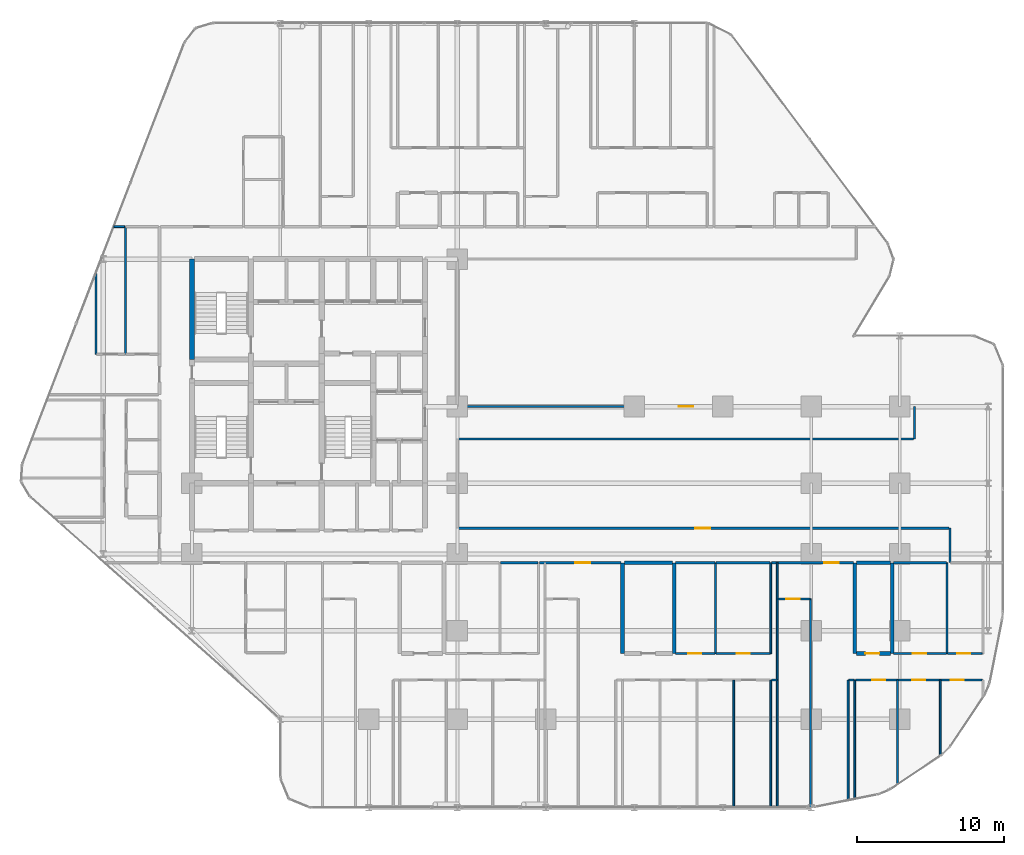
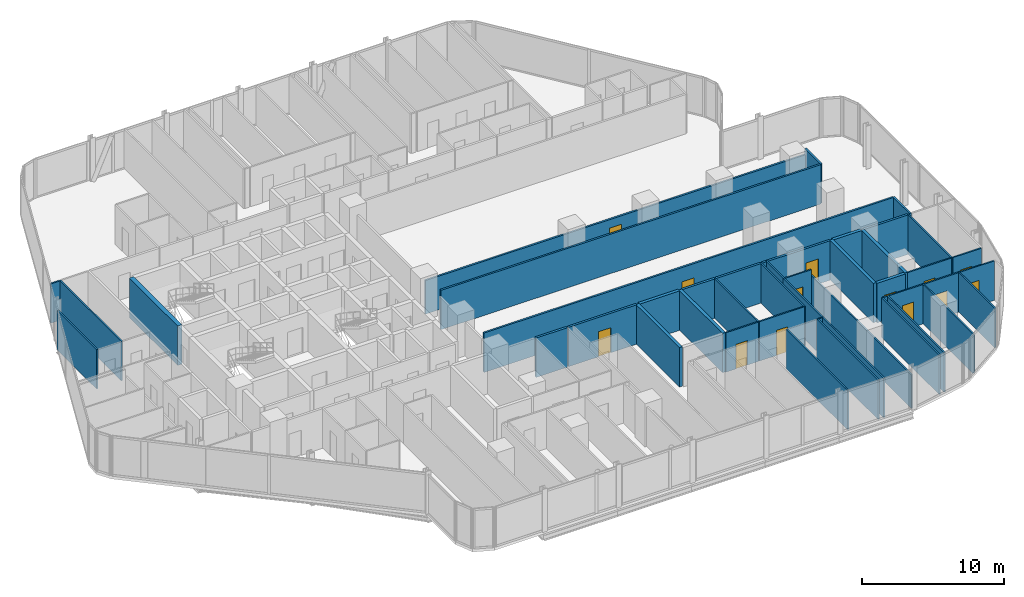
# One storey, part 29 of 33: 43 walls, 13 doors, 13 openings.
"""IFC4 building model written with IfcOpenShell, lengths in metres."""

from ifc_helpers import new_model, si_unit, direction, frame, frame_2d, origin, place, context, subcontext, project, spatial, rectangle, extrude, material, layer, layer_set, type_object, element, fill, save


model = new_model("IFC4")

# Units and contexts
model_context = context("Model", 3, precision=1e-05, world=origin(), true_north=direction((0.0, 1.0)))
body_context = subcontext(model_context, "Body", "Model", "MODEL_VIEW")
ifc_project = project(units=[si_unit("LENGTHUNIT", "METRE"), si_unit("AREAUNIT", "SQUARE_METRE"), si_unit("VOLUMEUNIT", "CUBIC_METRE"), si_unit("PLANEANGLEUNIT", "RADIAN"), si_unit("MASSUNIT", "GRAM", prefix="KILO")], contexts=[model_context])

# Site, building, storey
site_placement = place(None, origin())
site = spatial("IfcSite", under=ifc_project, at=site_placement, CompositionType="ELEMENT")
building_placement = place(site_placement, origin())
building = spatial("IfcBuilding", under=site, at=building_placement, Name="Keshet Zoharim Tower", CompositionType="ELEMENT")
storey_placement = place(building_placement, frame((0.0, 0.0, 27.699951171875)))
storey = spatial("IfcBuildingStorey", under=building, at=storey_placement, Name="L05", CompositionType="ELEMENT", Elevation=27.699951171875)

# Walls
ifc_material_1 = material(Name="Gypsum Plasterboard", Category="gypsum")
ifc_layer_1 = layer(ifc_material_1, 0.14990234375)
ifc_layer_set_1 = layer_set([ifc_layer_1], Name="Gypsum Plasterboard")
wall_type_1 = type_object("IfcWallType", Name="WL-CLIN-150", PredefinedType="STANDARD", material=ifc_layer_set_1)
wall_1_placement = place(storey_placement, frame((64.0, 25.699951171875, 0.0), z_axis=(0.0, 0.0, 1.0), x_axis=(0.0, 1.0, 0.0)))
element("IfcWall", 1, at=wall_1_placement, inside=storey, type_object=wall_type_1, Name="L05 Interior Wall 123", PredefinedType="STANDARD", context=body_context, shape_type="SweptSolid", body=[
    extrude(rectangle(XDim=2.199951171875, YDim=0.14990234375, at=frame_2d((1.10009765625, 0.0))), origin(), (0.0, 0.0, 1.0), 3.385009765625),
])
wall_2_placement = place(storey_placement, frame((66.39990234375, 17.31005859375, 0.0), z_axis=(0.0, 0.0, 1.0), x_axis=(0.0, 1.0, 0.0)))
element("IfcWall", 2, at=wall_2_placement, inside=storey, type_object=wall_type_1, Name="L05 Interior Wall 126", PredefinedType="STANDARD", context=body_context, shape_type="SweptSolid", body=[
    extrude(rectangle(XDim=2.33984375, YDim=0.14990234375, at=frame_2d((1.169921875, 0.0))), origin(), (0.0, 0.0, 1.0), 3.385009765625),
])

# Wall, opening, door
wall_3_placement = place(storey_placement, frame((33.070068359375, 19.64990234375, 0.0), z_axis=(0.0, 0.0, 1.0), x_axis=(1.0, 0.0, 0.0)))
wall_3 = element("IfcWall", 3, at=wall_3_placement, inside=storey, type_object=wall_type_1, Name="L05 Interior Wall 172", PredefinedType="STANDARD", context=body_context, shape_type="SweptSolid", body=[
    extrude(rectangle(XDim=33.27001953125, YDim=0.14990234375, at=frame_2d((16.635009765625, 0.0))), origin(), (0.0, 0.0, 1.0), 3.385009765625),
])
opening_1_placement = place(wall_3_placement, frame((16.06494140625, 0.0, 0.0)))
opening_1 = element("IfcOpeningElement", 4, at=opening_1_placement, cuts=wall_3, Name="Opening D-F310", PredefinedType="OPENING", context=body_context, shape_type="SweptSolid", body=[
    extrude(rectangle(XDim=1.0, YDim=2.14990234375, at=frame_2d((0.5, 1.074951171875))), frame((0.0, 0.0849609375, 0.0), z_axis=(0.0, -1.0, 0.0), x_axis=(1.0, 0.0, 0.0)), (0.0, 0.0, 1.0), 0.169921875),
])
ifc_material_2 = material(Name="Hardwood Timber", Category="wood")
door_type_1 = type_object("IfcDoorType", Name="DR-FD30-100", OperationType="NOTDEFINED", PredefinedType="DOOR", material=ifc_material_2)
door_1_placement = place(opening_1_placement, origin())
door_1 = element("IfcDoor", 5, at=door_1_placement, inside=storey, type_object=door_type_1, Name="L05 North East Residents Services Suite Door 1", OperationType="SINGLE_SWING_LEFT", OverallHeight=2.14990234375, OverallWidth=1.0, PredefinedType="DOOR", context=body_context, shape_type="SweptSolid", body=[
    extrude(rectangle(XDim=1.0, YDim=2.14990234375, at=frame_2d((0.5, 1.074951171875))), frame((0.0, 0.02490234375, 0.0), z_axis=(0.0, -1.0, 0.0), x_axis=(1.0, 0.0, 0.0)), (0.0, 0.0, 1.0), 0.050048828125),
])
fill(opening_1, door_1)

# Wall
wall_4_placement = place(storey_placement, frame((33.070068359375, 25.699951171875, 0.0), z_axis=(0.0, 0.0, 1.0), x_axis=(1.0, 0.0, 0.0)))
element("IfcWall", 6, at=wall_4_placement, inside=storey, type_object=wall_type_1, Name="L05 Interior Wall 186", PredefinedType="STANDARD", context=body_context, shape_type="SweptSolid", body=[
    extrude(rectangle(XDim=30.869873046875, YDim=0.14990234375, at=frame_2d((15.43505859375, 0.0))), origin(), (0.0, 0.0, 1.0), 3.385009765625),
])

# Wall, opening, door
wall_5_placement = place(storey_placement, frame((33.070068359375, 27.89990234375, 0.0), z_axis=(0.0, 0.0, 1.0), x_axis=(1.0, 0.0, 0.0)))
wall_5 = element("IfcWall", 7, at=wall_5_placement, inside=storey, type_object=wall_type_1, Name="L05 Interior Wall 187", PredefinedType="STANDARD", context=body_context, shape_type="SweptSolid", body=[
    extrude(rectangle(XDim=30.869873046875, YDim=0.14990234375, at=frame_2d((15.43505859375, 0.0))), origin(), (0.0, 0.0, 1.0), 2.885009765625),
])
opening_2_placement = place(wall_5_placement, frame((14.93505859375, 0.0, 0.0)))
opening_2 = element("IfcOpeningElement", 8, at=opening_2_placement, cuts=wall_5, Name="Opening D-F310", PredefinedType="OPENING", context=body_context, shape_type="SweptSolid", body=[
    extrude(rectangle(XDim=1.0, YDim=2.14990234375, at=frame_2d((0.5, 1.074951171875))), frame((0.0, 0.0849609375, 0.0), z_axis=(0.0, -1.0, 0.0), x_axis=(1.0, 0.0, 0.0)), (0.0, 0.0, 1.0), 0.169921875),
])
door_2_placement = place(opening_2_placement, origin())
door_2 = element("IfcDoor", 9, at=door_2_placement, inside=storey, type_object=door_type_1, Name="L05 North East Residents Services Suite Door 2", OperationType="SINGLE_SWING_LEFT", OverallHeight=2.14990234375, OverallWidth=1.0, PredefinedType="DOOR", context=body_context, shape_type="SweptSolid", body=[
    extrude(rectangle(XDim=1.0, YDim=2.14990234375, at=frame_2d((0.5, 1.074951171875))), frame((0.0, 0.02490234375, 0.0), z_axis=(0.0, -1.0, 0.0), x_axis=(1.0, 0.0, 0.0)), (0.0, 0.0, 1.0), 0.050048828125),
])
fill(opening_2, door_2)

# Walls
ifc_material_3 = material(Name="Concrete C60/75", Category="concrete")
ifc_layer_2 = layer(ifc_material_3, 0.35009765625)
ifc_layer_set_2 = layer_set([ifc_layer_2], Name="Concrete C60/75")
wall_type_2 = type_object("IfcWallType", Name="WL-CORE-350", PredefinedType="SHEAR", material=ifc_layer_set_2)
wall_6_placement = place(storey_placement, frame((15.0, 31.10009765625, 0.0), z_axis=(0.0, 0.0, 1.0), x_axis=(0.0, 1.0, 0.0)))
element("IfcWall", 10, at=wall_6_placement, inside=storey, type_object=wall_type_2, Name="L05 Core Shear Wall 016", PredefinedType="SHEAR", context=body_context, shape_type="SweptSolid", body=[
    extrude(rectangle(XDim=6.7998046875, YDim=0.35009765625, at=frame_2d((3.39990234375, 0.0))), origin(), (0.0, 0.0, 1.0), 3.385009765625),
])
ifc_layer_3 = layer(ifc_material_1, 0.179931640625)
ifc_layer_set_3 = layer_set([ifc_layer_3], Name="Gypsum Plasterboard")
wall_type_3 = type_object("IfcWallType", Name="WL-CORR-180", PredefinedType="STANDARD", material=ifc_layer_set_3)
wall_7_placement = place(storey_placement, frame((35.925048828125, 17.300048828125, 0.0), z_axis=(0.0, 0.0, 1.0), x_axis=(1.0, 0.0, 0.0)))
element("IfcWall", 11, at=wall_7_placement, inside=storey, type_object=wall_type_3, Name="L05 Interior Wall 158", PredefinedType="STANDARD", context=body_context, shape_type="SweptSolid", body=[
    extrude(rectangle(XDim=2.550048828125, YDim=0.179931640625, at=frame_2d((1.27490234375, 0.0))), origin(), (0.0, 0.0, 1.0), 3.385009765625),
])

# Wall, opening, door
wall_8_placement = place(storey_placement, frame((38.56494140625, 17.300048828125, 0.0), z_axis=(0.0, 0.0, 1.0), x_axis=(1.0, 0.0, 0.0)))
wall_8 = element("IfcWall", 12, at=wall_8_placement, inside=storey, type_object=wall_type_3, Name="L05 Interior Wall 159", PredefinedType="STANDARD", context=body_context, shape_type="SweptSolid", body=[
    extrude(rectangle(XDim=5.545166015625, YDim=0.179931640625, at=frame_2d((2.7724609375, 0.0))), origin(), (0.0, 0.0, 1.0), 3.385009765625),
])
opening_3_placement = place(wall_8_placement, frame((2.43505859375, 0.0, 0.0)))
opening_3 = element("IfcOpeningElement", 13, at=opening_3_placement, cuts=wall_8, Name="Opening D-F310", PredefinedType="OPENING", context=body_context, shape_type="SweptSolid", body=[
    extrude(rectangle(XDim=1.0, YDim=2.14990234375, at=frame_2d((0.5, 1.074951171875))), frame((0.0, 0.10009765625, 0.0), z_axis=(0.0, -1.0, 0.0), x_axis=(1.0, 0.0, 0.0)), (0.0, 0.0, 1.0), 0.199951171875),
])
door_3_placement = place(opening_3_placement, origin())
door_3 = element("IfcDoor", 14, at=door_3_placement, inside=storey, type_object=door_type_1, Name="Apartment 0503 Entrance Door", OperationType="SINGLE_SWING_RIGHT", OverallHeight=2.14990234375, OverallWidth=1.0, PredefinedType="DOOR", context=body_context, shape_type="SweptSolid", body=[
    extrude(rectangle(XDim=1.0, YDim=2.14990234375, at=frame_2d((0.5, 1.074951171875))), frame((0.0, 0.02490234375, 0.0), z_axis=(0.0, -1.0, 0.0), x_axis=(1.0, 0.0, 0.0)), (0.0, 0.0, 1.0), 0.050048828125),
])
fill(opening_3, door_3)

# Walls
wall_9_placement = place(storey_placement, frame((47.803955078125, 17.300048828125, 0.0), z_axis=(0.0, 0.0, 1.0), x_axis=(1.0, 0.0, 0.0)))
element("IfcWall", 15, at=wall_9_placement, inside=storey, type_object=wall_type_3, Name="L05 Interior Wall 161", PredefinedType="STANDARD", context=body_context, shape_type="SweptSolid", body=[
    extrude(rectangle(XDim=2.656005859375, YDim=0.179931640625, at=frame_2d((1.328125, 0.0))), origin(), (0.0, 0.0, 1.0), 3.385009765625),
])
wall_10_placement = place(storey_placement, frame((50.550048828125, 17.300048828125, 0.0), z_axis=(0.0, 0.0, 1.0), x_axis=(1.0, 0.0, 0.0)))
element("IfcWall", 16, at=wall_10_placement, inside=storey, type_object=wall_type_3, Name="L05 Interior Wall 162", PredefinedType="STANDARD", context=body_context, shape_type="SweptSolid", body=[
    extrude(rectangle(XDim=3.6650390625, YDim=0.179931640625, at=frame_2d((1.83251953125, 0.0))), origin(), (0.0, 0.0, 1.0), 3.385009765625),
])

# Wall, opening, door
wall_11_placement = place(storey_placement, frame((54.304931640625, 17.300048828125, 0.0), z_axis=(0.0, 0.0, 1.0), x_axis=(1.0, 0.0, 0.0)))
wall_11 = element("IfcWall", 17, at=wall_11_placement, inside=storey, type_object=wall_type_3, Name="L05 Interior Wall 163", PredefinedType="STANDARD", context=body_context, shape_type="SweptSolid", body=[
    extrude(rectangle(XDim=5.545166015625, YDim=0.179931640625, at=frame_2d((2.7724609375, 0.0))), origin(), (0.0, 0.0, 1.0), 3.385009765625),
])
opening_4_placement = place(wall_11_placement, frame((3.56005859375, 0.0, 0.0)))
opening_4 = element("IfcOpeningElement", 18, at=opening_4_placement, cuts=wall_11, Name="Opening D-F310", PredefinedType="OPENING", context=body_context, shape_type="SweptSolid", body=[
    extrude(rectangle(XDim=1.0, YDim=2.14990234375, at=frame_2d((0.5, 1.074951171875))), frame((0.0, 0.10009765625, 0.0), z_axis=(0.0, -1.0, 0.0), x_axis=(1.0, 0.0, 0.0)), (0.0, 0.0, 1.0), 0.199951171875),
])
door_4_placement = place(opening_4_placement, origin())
door_4 = element("IfcDoor", 19, at=door_4_placement, inside=storey, type_object=door_type_1, Name="Apartment 0504 Entrance Door", OperationType="SINGLE_SWING_LEFT", OverallHeight=2.14990234375, OverallWidth=1.0, PredefinedType="DOOR", context=body_context, shape_type="SweptSolid", body=[
    extrude(rectangle(XDim=1.0, YDim=2.14990234375, at=frame_2d((0.5, 1.074951171875))), frame((0.0, 0.02490234375, 0.0), z_axis=(0.0, -1.0, 0.0), x_axis=(1.0, 0.0, 0.0)), (0.0, 0.0, 1.0), 0.050048828125),
])
fill(opening_4, door_4)

# Walls
wall_12_placement = place(storey_placement, frame((62.5849609375, 17.300048828125, 0.0), z_axis=(0.0, 0.0, 1.0), x_axis=(1.0, 0.0, 0.0)))
element("IfcWall", 20, at=wall_12_placement, inside=storey, type_object=wall_type_3, Name="L05 Interior Wall 165", PredefinedType="STANDARD", context=body_context, shape_type="SweptSolid", body=[
    extrude(rectangle(XDim=3.572998046875, YDim=0.179931640625, at=frame_2d((1.78662109375, 0.0))), origin(), (0.0, 0.0, 1.0), 3.385009765625),
])
ifc_material_4 = material(Name="Concrete C50/60", Category="concrete")
ifc_layer_4 = layer(ifc_material_4, 0.25)
ifc_layer_set_4 = layer_set([ifc_layer_4], Name="Concrete C50/60")
wall_type_4 = type_object("IfcWallType", Name="WL-MAMAD-250", PredefinedType="STANDARD", material=ifc_layer_set_4)
for number, where, z_axis, x_axis, name in (
    (21, (44.199951171875, 11.14990234375, 0.0), (0.0, 0.0, 1.0), (0.0, 1.0, 0.0), "L05 Interior Wall 095"),
    (22, (47.699951171875, 11.14990234375, 0.0), (0.0, 0.0, 1.0), (0.0, 1.0, 0.0), "L05 Interior Wall 100"),
    (23, (59.949951171875, 11.14990234375, 0.0), (0.0, 0.0, 1.0), (0.0, 1.0, 0.0), "L05 Interior Wall 119"),
    (24, (62.5, 11.14990234375, 0.0), (0.0, 0.0, 1.0), (0.0, 1.0, 0.0), "L05 Interior Wall 121"),
):
    element("IfcWall", number, at=place(storey_placement, frame(where, z_axis=z_axis, x_axis=x_axis)), inside=storey, type_object=wall_type_4, Name=name, PredefinedType="STANDARD", context=body_context, shape_type="SweptSolid", body=[
        extrude(rectangle(XDim=6.150146484375, YDim=0.25, at=frame_2d((3.0751953125, 0.0))), origin(), (0.0, 0.0, 1.0), 3.385009765625),
    ])

# Wall, opening, door
wall_13_placement = place(storey_placement, frame((60.070068359375, 11.14990234375, 0.0), z_axis=(0.0, 0.0, 1.0), x_axis=(1.0, 0.0, 0.0)))
wall_13 = element("IfcWall", 25, at=wall_13_placement, inside=storey, type_object=wall_type_4, Name="L05 Interior Wall 143", PredefinedType="STANDARD", context=body_context, shape_type="SweptSolid", body=[
    extrude(rectangle(XDim=2.294921875, YDim=0.25, at=frame_2d((1.1474609375, 0.0))), origin(), (0.0, 0.0, 1.0), 3.385009765625),
])
opening_5_placement = place(wall_13_placement, frame((0.597900390625, 0.0, 0.0)))
opening_5 = element("IfcOpeningElement", 26, at=opening_5_placement, cuts=wall_13, Name="Opening D-F695", PredefinedType="OPENING", context=body_context, shape_type="SweptSolid", body=[
    extrude(rectangle(XDim=0.949951171875, YDim=2.14990234375, at=frame_2d((0.47509765625, 1.074951171875))), frame((0.0, 0.135009765625, 0.0), z_axis=(0.0, -1.0, 0.0), x_axis=(1.0, 0.0, 0.0)), (0.0, 0.0, 1.0), 0.27001953125),
])
door_type_2 = type_object("IfcDoorType", Name="DR-FD60-095", OperationType="NOTDEFINED", PredefinedType="DOOR", material=ifc_material_2)
door_5_placement = place(opening_5_placement, origin())
door_5 = element("IfcDoor", 27, at=door_5_placement, inside=storey, type_object=door_type_2, Name="Apartment 0504 Study and Shelter Room Door", OperationType="SINGLE_SWING_RIGHT", OverallHeight=2.14990234375, OverallWidth=0.949951171875, PredefinedType="DOOR", context=body_context, shape_type="SweptSolid", body=[
    extrude(rectangle(XDim=0.949951171875, YDim=2.14990234375, at=frame_2d((0.47509765625, 1.074951171875))), frame((0.0, 0.02490234375, 0.0), z_axis=(0.0, -1.0, 0.0), x_axis=(1.0, 0.0, 0.0)), (0.0, 0.0, 1.0), 0.050048828125),
])
fill(opening_5, door_5)

# Walls
wall_14_placement = place(storey_placement, frame((44.330078125, 17.300048828125, 0.0), z_axis=(0.0, 0.0, 1.0), x_axis=(1.0, 0.0, 0.0)))
element("IfcWall", 28, at=wall_14_placement, inside=storey, type_object=wall_type_4, Name="L05 Interior Wall 160", PredefinedType="STANDARD", context=body_context, shape_type="SweptSolid", body=[
    extrude(rectangle(XDim=3.25390625, YDim=0.25, at=frame_2d((1.626953125, 0.0))), origin(), (0.0, 0.0, 1.0), 3.385009765625),
])
wall_15_placement = place(storey_placement, frame((60.070068359375, 17.300048828125, 0.0), z_axis=(0.0, 0.0, 1.0), x_axis=(1.0, 0.0, 0.0)))
element("IfcWall", 29, at=wall_15_placement, inside=storey, type_object=wall_type_4, Name="L05 Interior Wall 164", PredefinedType="STANDARD", context=body_context, shape_type="SweptSolid", body=[
    extrude(rectangle(XDim=2.294921875, YDim=0.25, at=frame_2d((1.1474609375, 0.0))), origin(), (0.0, 0.0, 1.0), 3.385009765625),
])
ifc_layer_5 = layer(ifc_material_1, 0.1201171875)
ifc_layer_set_5 = layer_set([ifc_layer_5], Name="Gypsum Plasterboard")
wall_type_5 = type_object("IfcWallType", Name="WL-PART-120", PredefinedType="PARTITIONING", material=ifc_layer_set_5)
wall_16_placement = place(storey_placement, frame((8.5, 31.449951171875, 0.0), z_axis=(0.0, 0.0, 1.0), x_axis=(0.0, 1.0, 0.0)))
element("IfcWall", 30, at=wall_16_placement, inside=storey, type_object=wall_type_5, Name="L05 Interior Wall 001", PredefinedType="PARTITIONING", context=body_context, shape_type="SweptSolid", body=[
    extrude(rectangle(XDim=5.5400390625, YDim=0.1201171875, at=frame_2d((2.77001953125, 0.0))), origin(), (0.0, 0.0, 1.0), 3.385009765625),
])
for number, where, z_axis, x_axis, name in (
    (31, (51.75, 0.7099609375, 0.0), (0.0, 0.0, 1.0), (0.0, 1.0, 0.0), "L05 Interior Wall 107"),
    (32, (54.25, 0.7099609375, 0.0), (0.0, 0.0, 1.0), (0.0, 1.0, 0.0), "L05 Interior Wall 108"),
):
    element("IfcWall", number, at=place(storey_placement, frame(where, z_axis=z_axis, x_axis=x_axis)), inside=storey, type_object=wall_type_5, Name=name, PredefinedType="PARTITIONING", context=body_context, shape_type="SweptSolid", body=[
        extrude(rectangle(XDim=8.64013671875, YDim=0.1201171875, at=frame_2d((4.320068359375, 0.0))), origin(), (0.0, 0.0, 1.0), 3.385009765625),
    ])
wall_17_placement = place(storey_placement, frame((54.25, 11.14990234375, 0.0), z_axis=(0.0, 0.0, 1.0), x_axis=(0.0, 1.0, 0.0)))
element("IfcWall", 33, at=wall_17_placement, inside=storey, type_object=wall_type_5, Name="L05 Interior Wall 109", PredefinedType="PARTITIONING", context=body_context, shape_type="SweptSolid", body=[
    extrude(rectangle(XDim=6.150146484375, YDim=0.1201171875, at=frame_2d((3.0751953125, 0.0))), origin(), (0.0, 0.0, 1.0), 3.385009765625),
])
wall_18_placement = place(storey_placement, frame((54.699951171875, 0.7099609375, 0.0), z_axis=(0.0, 0.0, 1.0), x_axis=(0.0, 1.0, 0.0)))
element("IfcWall", 34, at=wall_18_placement, inside=storey, type_object=wall_type_5, Name="L05 Interior Wall 111", PredefinedType="PARTITIONING", context=body_context, shape_type="SweptSolid", body=[
    extrude(rectangle(XDim=8.64013671875, YDim=0.1201171875, at=frame_2d((4.320068359375, 0.0))), origin(), (0.0, 0.0, 1.0), 3.385009765625),
])
wall_19_placement = place(storey_placement, frame((54.699951171875, 9.35009765625, 0.0), z_axis=(0.0, 0.0, 1.0), x_axis=(0.0, 1.0, 0.0)))
element("IfcWall", 35, at=wall_19_placement, inside=storey, type_object=wall_type_5, Name="L05 Interior Wall 112", PredefinedType="PARTITIONING", context=body_context, shape_type="SweptSolid", body=[
    extrude(rectangle(XDim=5.5, YDim=0.1201171875, at=frame_2d((2.75, 0.0))), origin(), (0.0, 0.0, 1.0), 3.385009765625),
])
wall_20_placement = place(storey_placement, frame((54.699951171875, 14.85009765625, 0.0), z_axis=(0.0, 0.0, 1.0), x_axis=(0.0, 1.0, 0.0)))
element("IfcWall", 36, at=wall_20_placement, inside=storey, type_object=wall_type_5, Name="L05 Interior Wall 113", PredefinedType="PARTITIONING", context=body_context, shape_type="SweptSolid", body=[
    extrude(rectangle(XDim=2.449951171875, YDim=0.1201171875, at=frame_2d((1.22509765625, 0.0))), origin(), (0.0, 0.0, 1.0), 3.385009765625),
])
wall_21_placement = place(storey_placement, frame((56.949951171875, 0.72412109375, 0.0), z_axis=(0.0, 0.0, 1.0), x_axis=(0.0, 1.0, 0.0)))
element("IfcWall", 37, at=wall_21_placement, inside=storey, type_object=wall_type_5, Name="L05 Interior Wall 115", PredefinedType="PARTITIONING", context=body_context, shape_type="SweptSolid", body=[
    extrude(rectangle(XDim=14.1259765625, YDim=0.1201171875, at=frame_2d((7.06298828125, 0.0))), origin(), (0.0, 0.0, 1.0), 2.885009765625),
])
wall_22_placement = place(storey_placement, frame((59.5, 1.20703125, 0.0), z_axis=(0.0, 0.0, 1.0), x_axis=(0.0, 1.0, 0.0)))
element("IfcWall", 38, at=wall_22_placement, inside=storey, type_object=wall_type_5, Name="L05 Interior Wall 117", PredefinedType="PARTITIONING", context=body_context, shape_type="SweptSolid", body=[
    extrude(rectangle(XDim=8.14306640625, YDim=0.1201171875, at=frame_2d((4.071533203125, 0.0))), origin(), (0.0, 0.0, 1.0), 3.385009765625),
])
wall_23_placement = place(storey_placement, frame((59.949951171875, 1.297119140625, 0.0), z_axis=(0.0, 0.0, 1.0), x_axis=(0.0, 1.0, 0.0)))
element("IfcWall", 39, at=wall_23_placement, inside=storey, type_object=wall_type_5, Name="L05 Interior Wall 118", PredefinedType="PARTITIONING", context=body_context, shape_type="SweptSolid", body=[
    extrude(rectangle(XDim=8.052978515625, YDim=0.1201171875, at=frame_2d((4.0263671875, 0.0))), origin(), (0.0, 0.0, 1.0), 3.385009765625),
])
wall_24_placement = place(storey_placement, frame((62.85009765625, 2.283935546875, 0.0), z_axis=(0.0, 0.0, 1.0), x_axis=(0.0, 1.0, 0.0)))
element("IfcWall", 40, at=wall_24_placement, inside=storey, type_object=wall_type_5, Name="L05 Interior Wall 122", PredefinedType="PARTITIONING", context=body_context, shape_type="SweptSolid", body=[
    extrude(rectangle(XDim=7.066162109375, YDim=0.1201171875, at=frame_2d((3.533203125, 0.0))), origin(), (0.0, 0.0, 1.0), 3.385009765625),
])
wall_25_placement = place(storey_placement, frame((65.75, 4.221923828125, 0.0), z_axis=(0.0, 0.0, 1.0), x_axis=(0.0, 1.0, 0.0)))
element("IfcWall", 41, at=wall_25_placement, inside=storey, type_object=wall_type_5, Name="L05 Interior Wall 124", PredefinedType="PARTITIONING", context=body_context, shape_type="SweptSolid", body=[
    extrude(rectangle(XDim=5.128173828125, YDim=0.1201171875, at=frame_2d((2.56396484375, 0.0))), origin(), (0.0, 0.0, 1.0), 3.385009765625),
])
for number, where, z_axis, x_axis, name in (
    (42, (54.304931640625, 9.35009765625, 0.0), (0.0, 0.0, 1.0), (1.0, 0.0, 0.0), "L05 Interior Wall 134"),
    (43, (59.554931640625, 9.35009765625, 0.0), (0.0, 0.0, 1.0), (1.0, 0.0, 0.0), "L05 Interior Wall 135"),
):
    element("IfcWall", number, at=place(storey_placement, frame(where, z_axis=z_axis, x_axis=x_axis)), inside=storey, type_object=wall_type_5, Name=name, PredefinedType="PARTITIONING", context=body_context, shape_type="SweptSolid", body=[
        extrude(rectangle(XDim=0.360107421875, YDim=0.1201171875, at=frame_2d((0.18017578125, 0.0))), origin(), (0.0, 0.0, 1.0), 3.385009765625),
    ])

# Wall, openings, doors
wall_26_placement = place(storey_placement, frame((60.0048828125, 9.35009765625, 0.0), z_axis=(0.0, 0.0, 1.0), x_axis=(1.0, 0.0, 0.0)))
wall_26 = element("IfcWall", 44, at=wall_26_placement, inside=storey, type_object=wall_type_5, Name="L05 Interior Wall 136", PredefinedType="PARTITIONING", context=body_context, shape_type="SweptSolid", body=[
    extrude(rectangle(XDim=8.5810546875, YDim=0.1201171875, at=frame_2d((4.29052734375, 0.0))), origin(), (0.0, 0.0, 1.0), 3.385009765625),
])
opening_6_placement = place(wall_26_placement, frame((1.125, 0.0, 0.0)))
opening_6 = element("IfcOpeningElement", 45, at=opening_6_placement, cuts=wall_26, Name="Opening D-IN90", PredefinedType="OPENING", context=body_context, shape_type="SweptSolid", body=[
    extrude(rectangle(XDim=0.89990234375, YDim=2.14990234375, at=frame_2d((0.449951171875, 1.074951171875))), frame((0.0, 0.070068359375, 0.0), z_axis=(0.0, -1.0, 0.0), x_axis=(1.0, 0.0, 0.0)), (0.0, 0.0, 1.0), 0.14013671875),
])
opening_7_placement = place(wall_26_placement, frame((3.841064453125, 0.0, 0.0)))
opening_7 = element("IfcOpeningElement", 46, at=opening_7_placement, cuts=wall_26, Name="Opening D-IN90", PredefinedType="OPENING", context=body_context, shape_type="SweptSolid", body=[
    extrude(rectangle(XDim=0.89990234375, YDim=2.14990234375, at=frame_2d((0.449951171875, 1.074951171875))), frame((0.0, 0.070068359375, 0.0), z_axis=(0.0, -1.0, 0.0), x_axis=(1.0, 0.0, 0.0)), (0.0, 0.0, 1.0), 0.14013671875),
])
opening_8_placement = place(wall_26_placement, frame((6.43994140625, 0.0, 0.0)))
opening_8 = element("IfcOpeningElement", 47, at=opening_8_placement, cuts=wall_26, Name="Opening D-IN90", PredefinedType="OPENING", context=body_context, shape_type="SweptSolid", body=[
    extrude(rectangle(XDim=0.89990234375, YDim=2.14990234375, at=frame_2d((0.449951171875, 1.074951171875))), frame((0.0, 0.070068359375, 0.0), z_axis=(0.0, -1.0, 0.0), x_axis=(1.0, 0.0, 0.0)), (0.0, 0.0, 1.0), 0.14013671875),
])
door_type_3 = type_object("IfcDoorType", Name="DR-INT-090", OperationType="NOTDEFINED", PredefinedType="DOOR", material=ifc_material_2)
door_6_placement = place(opening_6_placement, origin())
door_6 = element("IfcDoor", 48, at=door_6_placement, inside=storey, type_object=door_type_3, Name="Apartment 0504 Bedroom 1 Door", OperationType="SINGLE_SWING_LEFT", OverallHeight=2.14990234375, OverallWidth=0.89990234375, PredefinedType="DOOR", context=body_context, shape_type="SweptSolid", body=[
    extrude(rectangle(XDim=0.89990234375, YDim=2.14990234375, at=frame_2d((0.449951171875, 1.074951171875))), frame((0.0, 0.02490234375, 0.0), z_axis=(0.0, -1.0, 0.0), x_axis=(1.0, 0.0, 0.0)), (0.0, 0.0, 1.0), 0.050048828125),
])
fill(opening_6, door_6)
door_7_placement = place(opening_7_placement, origin())
door_7 = element("IfcDoor", 49, at=door_7_placement, inside=storey, type_object=door_type_3, Name="Apartment 0504 Bedroom 2 Door", OperationType="SINGLE_SWING_RIGHT", OverallHeight=2.14990234375, OverallWidth=0.89990234375, PredefinedType="DOOR", context=body_context, shape_type="SweptSolid", body=[
    extrude(rectangle(XDim=0.89990234375, YDim=2.14990234375, at=frame_2d((0.449951171875, 1.074951171875))), frame((0.0, 0.02490234375, 0.0), z_axis=(0.0, -1.0, 0.0), x_axis=(1.0, 0.0, 0.0)), (0.0, 0.0, 1.0), 0.050048828125),
])
fill(opening_7, door_7)
door_8_placement = place(opening_8_placement, origin())
door_8 = element("IfcDoor", 50, at=door_8_placement, inside=storey, type_object=door_type_3, Name="Apartment 0504 Bedroom 3 Door", OperationType="SINGLE_SWING_LEFT", OverallHeight=2.14990234375, OverallWidth=0.89990234375, PredefinedType="DOOR", context=body_context, shape_type="SweptSolid", body=[
    extrude(rectangle(XDim=0.89990234375, YDim=2.14990234375, at=frame_2d((0.449951171875, 1.074951171875))), frame((0.0, 0.02490234375, 0.0), z_axis=(0.0, -1.0, 0.0), x_axis=(1.0, 0.0, 0.0)), (0.0, 0.0, 1.0), 0.050048828125),
])
fill(opening_8, door_8)

# Wall, opening, door
wall_27_placement = place(storey_placement, frame((50.550048828125, 11.14990234375, 0.0), z_axis=(0.0, 0.0, 1.0), x_axis=(1.0, 0.0, 0.0)))
wall_27 = element("IfcWall", 51, at=wall_27_placement, inside=storey, type_object=wall_type_5, Name="L05 Interior Wall 142", PredefinedType="PARTITIONING", context=body_context, shape_type="SweptSolid", body=[
    extrude(rectangle(XDim=3.6650390625, YDim=0.1201171875, at=frame_2d((1.83251953125, 0.0))), origin(), (0.0, 0.0, 1.0), 3.385009765625),
])
opening_9_placement = place(wall_27_placement, frame((1.383056640625, 0.0, 0.0)))
opening_9 = element("IfcOpeningElement", 52, at=opening_9_placement, cuts=wall_27, Name="Opening D-IN90", PredefinedType="OPENING", context=body_context, shape_type="SweptSolid", body=[
    extrude(rectangle(XDim=0.89990234375, YDim=2.14990234375, at=frame_2d((0.449951171875, 1.074951171875))), frame((0.0, 0.070068359375, 0.0), z_axis=(0.0, -1.0, 0.0), x_axis=(1.0, 0.0, 0.0)), (0.0, 0.0, 1.0), 0.14013671875),
])
door_9_placement = place(opening_9_placement, origin())
door_9 = element("IfcDoor", 53, at=door_9_placement, inside=storey, type_object=door_type_3, Name="Apartment 0503 Kitchen Door", OperationType="SINGLE_SWING_LEFT", OverallHeight=2.14990234375, OverallWidth=0.89990234375, PredefinedType="DOOR", context=body_context, shape_type="SweptSolid", body=[
    extrude(rectangle(XDim=0.89990234375, YDim=2.14990234375, at=frame_2d((0.449951171875, 1.074951171875))), frame((0.0, 0.02490234375, 0.0), z_axis=(0.0, -1.0, 0.0), x_axis=(1.0, 0.0, 0.0)), (0.0, 0.0, 1.0), 0.050048828125),
])
fill(opening_9, door_9)

wall_28_placement = place(storey_placement, frame((62.5849609375, 11.14990234375, 0.0), z_axis=(0.0, 0.0, 1.0), x_axis=(1.0, 0.0, 0.0)))
wall_28 = element("IfcWall", 54, at=wall_28_placement, inside=storey, type_object=wall_type_5, Name="L05 Interior Wall 144", PredefinedType="PARTITIONING", context=body_context, shape_type="SweptSolid", body=[
    extrude(rectangle(XDim=3.572998046875, YDim=0.1201171875, at=frame_2d((1.78662109375, 0.0))), origin(), (0.0, 0.0, 1.0), 3.385009765625),
])
opening_10_placement = place(wall_28_placement, frame((1.303955078125, 0.0, 0.0)))
opening_10 = element("IfcOpeningElement", 55, at=opening_10_placement, cuts=wall_28, Name="Opening D-IN90", PredefinedType="OPENING", context=body_context, shape_type="SweptSolid", body=[
    extrude(rectangle(XDim=0.89990234375, YDim=2.14990234375, at=frame_2d((0.449951171875, 1.074951171875))), frame((0.0, 0.070068359375, 0.0), z_axis=(0.0, -1.0, 0.0), x_axis=(1.0, 0.0, 0.0)), (0.0, 0.0, 1.0), 0.14013671875),
])
door_10_placement = place(opening_10_placement, origin())
door_10 = element("IfcDoor", 56, at=door_10_placement, inside=storey, type_object=door_type_3, Name="Apartment 0504 Kitchen Door", OperationType="SINGLE_SWING_LEFT", OverallHeight=2.14990234375, OverallWidth=0.89990234375, PredefinedType="DOOR", context=body_context, shape_type="SweptSolid", body=[
    extrude(rectangle(XDim=0.89990234375, YDim=2.14990234375, at=frame_2d((0.449951171875, 1.074951171875))), frame((0.0, 0.02490234375, 0.0), z_axis=(0.0, -1.0, 0.0), x_axis=(1.0, 0.0, 0.0)), (0.0, 0.0, 1.0), 0.050048828125),
])
fill(opening_10, door_10)

wall_29_placement = place(storey_placement, frame((54.7548828125, 14.85009765625, 0.0), z_axis=(0.0, 0.0, 1.0), x_axis=(1.0, 0.0, 0.0)))
wall_29 = element("IfcWall", 57, at=wall_29_placement, inside=storey, type_object=wall_type_5, Name="L05 Interior Wall 150", PredefinedType="PARTITIONING", context=body_context, shape_type="SweptSolid", body=[
    extrude(rectangle(XDim=2.16015625, YDim=0.1201171875, at=frame_2d((1.080078125, 0.0))), origin(), (0.0, 0.0, 1.0), 3.385009765625),
])
opening_11_placement = place(wall_29_placement, frame((0.552978515625, 0.0, 0.0)))
opening_11 = element("IfcOpeningElement", 58, at=opening_11_placement, cuts=wall_29, Name="Opening D-IN90", PredefinedType="OPENING", context=body_context, shape_type="SweptSolid", body=[
    extrude(rectangle(XDim=0.89990234375, YDim=2.14990234375, at=frame_2d((0.449951171875, 1.074951171875))), frame((0.0, 0.070068359375, 0.0), z_axis=(0.0, -1.0, 0.0), x_axis=(1.0, 0.0, 0.0)), (0.0, 0.0, 1.0), 0.14013671875),
])
door_11_placement = place(opening_11_placement, origin())
door_11 = element("IfcDoor", 59, at=door_11_placement, inside=storey, type_object=door_type_3, Name="Apartment 0504 Formal Dining Room Door", OperationType="SINGLE_SWING_LEFT", OverallHeight=2.14990234375, OverallWidth=0.89990234375, PredefinedType="DOOR", context=body_context, shape_type="SweptSolid", body=[
    extrude(rectangle(XDim=0.89990234375, YDim=2.14990234375, at=frame_2d((0.449951171875, 1.074951171875))), frame((0.0, 0.02490234375, 0.0), z_axis=(0.0, -1.0, 0.0), x_axis=(1.0, 0.0, 0.0)), (0.0, 0.0, 1.0), 0.050048828125),
])
fill(opening_11, door_11)

# Walls
wall_30_placement = place(storey_placement, frame((9.701904296875, 40.10009765625, 0.0), z_axis=(0.0, 0.0, 1.0), x_axis=(1.0, 0.0, 0.0)))
element("IfcWall", 60, at=wall_30_placement, inside=storey, type_object=wall_type_5, Name="L05 Interior Wall 206", PredefinedType="PARTITIONING", context=body_context, shape_type="SweptSolid", body=[
    extrude(rectangle(XDim=0.731201171875, YDim=0.1201171875, at=frame_2d((0.36572265625, 0.0))), origin(), (0.0, 0.0, 1.0), 3.385009765625),
])
ifc_layer_6 = layer(ifc_material_1, 0.1201171875)
ifc_layer_set_6 = layer_set([ifc_layer_6], Name="Gypsum Plasterboard")
wall_type_6 = type_object("IfcWallType", Name="WL-WET-120", PredefinedType="PARTITIONING", material=ifc_layer_set_6)
wall_31_placement = place(storey_placement, frame((10.5, 31.449951171875, 0.0), z_axis=(0.0, 0.0, 1.0), x_axis=(0.0, 1.0, 0.0)))
element("IfcWall", 61, at=wall_31_placement, inside=storey, type_object=wall_type_6, Name="L05 Interior Wall 003", PredefinedType="PARTITIONING", context=body_context, shape_type="SweptSolid", body=[
    extrude(rectangle(XDim=8.650146484375, YDim=0.1201171875, at=frame_2d((4.3251953125, 0.0))), origin(), (0.0, 0.0, 1.0), 3.385009765625),
])
for number, where, z_axis, x_axis, name in (
    (62, (50.5, 11.14990234375, 0.0), (0.0, 0.0, 1.0), (0.0, 1.0, 0.0), "L05 Interior Wall 106"),
    (63, (66.199951171875, 11.14990234375, 0.0), (0.0, 0.0, 1.0), (0.0, 1.0, 0.0), "L05 Interior Wall 125"),
):
    element("IfcWall", number, at=place(storey_placement, frame(where, z_axis=z_axis, x_axis=x_axis)), inside=storey, type_object=wall_type_6, Name=name, PredefinedType="PARTITIONING", context=body_context, shape_type="SweptSolid", body=[
        extrude(rectangle(XDim=6.150146484375, YDim=0.1201171875, at=frame_2d((3.0751953125, 0.0))), origin(), (0.0, 0.0, 1.0), 3.385009765625),
    ])

# Wall, opening, door
wall_32_placement = place(storey_placement, frame((47.803955078125, 11.14990234375, 0.0), z_axis=(0.0, 0.0, 1.0), x_axis=(1.0, 0.0, 0.0)))
wall_32 = element("IfcWall", 64, at=wall_32_placement, inside=storey, type_object=wall_type_6, Name="L05 Interior Wall 141", PredefinedType="PARTITIONING", context=body_context, shape_type="SweptSolid", body=[
    extrude(rectangle(XDim=2.656005859375, YDim=0.1201171875, at=frame_2d((1.328125, 0.0))), origin(), (0.0, 0.0, 1.0), 3.385009765625),
])
opening_12_placement = place(wall_32_placement, frame((0.845947265625, 0.0, 0.0)))
opening_12 = element("IfcOpeningElement", 65, at=opening_12_placement, cuts=wall_32, Name="Opening D-WT90", PredefinedType="OPENING", context=body_context, shape_type="SweptSolid", body=[
    extrude(rectangle(XDim=0.89990234375, YDim=2.10009765625, at=frame_2d((0.449951171875, 1.050048828125))), frame((0.0, 0.070068359375, 0.0), z_axis=(0.0, -1.0, 0.0), x_axis=(1.0, 0.0, 0.0)), (0.0, 0.0, 1.0), 0.14013671875),
])
door_type_4 = type_object("IfcDoorType", Name="DR-WET-090", OperationType="NOTDEFINED", PredefinedType="DOOR", material=ifc_material_2)
door_12_placement = place(opening_12_placement, origin())
door_12 = element("IfcDoor", 66, at=door_12_placement, inside=storey, type_object=door_type_4, Name="Apartment 0503 Bathroom Door", OperationType="SINGLE_SWING_RIGHT", OverallHeight=2.10009765625, OverallWidth=0.89990234375, PredefinedType="DOOR", context=body_context, shape_type="SweptSolid", body=[
    extrude(rectangle(XDim=0.89990234375, YDim=2.10009765625, at=frame_2d((0.449951171875, 1.050048828125))), frame((0.0, 0.02490234375, 0.0), z_axis=(0.0, -1.0, 0.0), x_axis=(1.0, 0.0, 0.0)), (0.0, 0.0, 1.0), 0.050048828125),
])
fill(opening_12, door_12)

wall_33_placement = place(storey_placement, frame((66.248046875, 11.14990234375, 0.0), z_axis=(0.0, 0.0, 1.0), x_axis=(1.0, 0.0, 0.0)))
wall_33 = element("IfcWall", 67, at=wall_33_placement, inside=storey, type_object=wall_type_6, Name="L05 Interior Wall 145", PredefinedType="PARTITIONING", context=body_context, shape_type="SweptSolid", body=[
    extrude(rectangle(XDim=2.337890625, YDim=0.1201171875, at=frame_2d((1.1689453125, 0.0))), origin(), (0.0, 0.0, 1.0), 3.385009765625),
])
opening_13_placement = place(wall_33_placement, frame((0.64599609375, 0.0, 0.0)))
opening_13 = element("IfcOpeningElement", 68, at=opening_13_placement, cuts=wall_33, Name="Opening D-WT90", PredefinedType="OPENING", context=body_context, shape_type="SweptSolid", body=[
    extrude(rectangle(XDim=0.89990234375, YDim=2.10009765625, at=frame_2d((0.449951171875, 1.050048828125))), frame((0.0, 0.070068359375, 0.0), z_axis=(0.0, -1.0, 0.0), x_axis=(1.0, 0.0, 0.0)), (0.0, 0.0, 1.0), 0.14013671875),
])
door_13_placement = place(opening_13_placement, origin())
door_13 = element("IfcDoor", 69, at=door_13_placement, inside=storey, type_object=door_type_4, Name="Apartment 0504 Bathroom Door", OperationType="SINGLE_SWING_RIGHT", OverallHeight=2.10009765625, OverallWidth=0.89990234375, PredefinedType="DOOR", context=body_context, shape_type="SweptSolid", body=[
    extrude(rectangle(XDim=0.89990234375, YDim=2.10009765625, at=frame_2d((0.449951171875, 1.050048828125))), frame((0.0, 0.02490234375, 0.0), z_axis=(0.0, -1.0, 0.0), x_axis=(1.0, 0.0, 0.0)), (0.0, 0.0, 1.0), 0.050048828125),
])
fill(opening_13, door_13)

save(model, "model.ifc")
